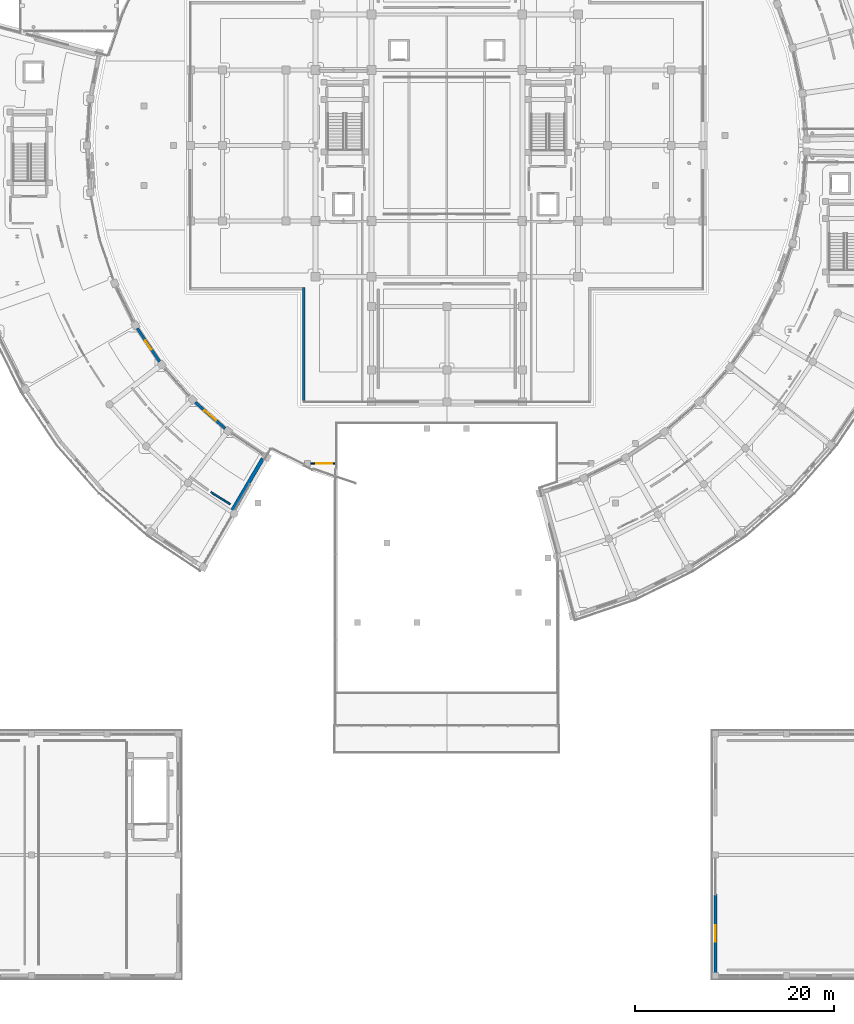
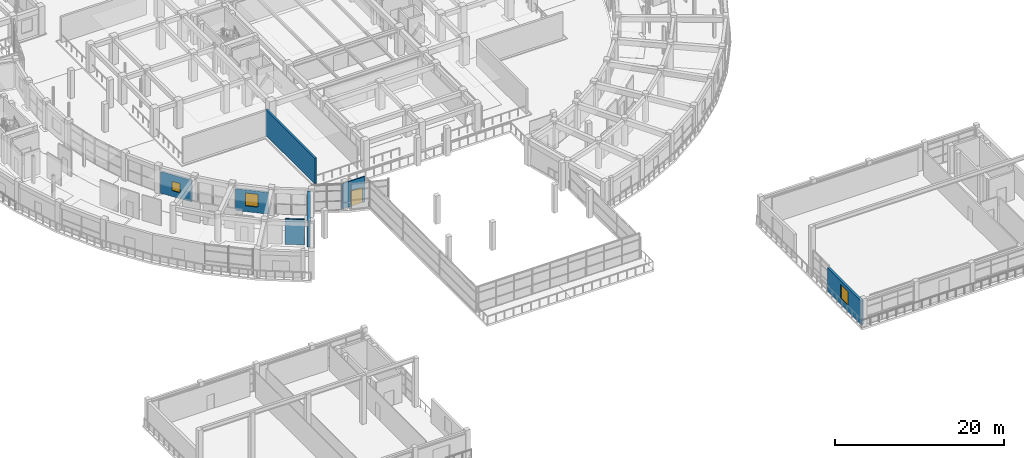
# One storey, part 56 of 87: 7 walls, 3 windows, 1 door, 4 openings.
"""IFC4 building model written with IfcOpenShell, lengths in metres."""

from ifc_helpers import new_model, si_unit, direction, frame, frame_2d, origin, place, context, subcontext, project, spatial, rectangle, extrude, material, layer, layer_set, type_object, element, fill, save


model = new_model("IFC4")

# Units and contexts
model_context = context("Model", 3, precision=1e-05, world=origin(), true_north=direction((0.0, 1.0)))
body_context = subcontext(model_context, "Body", "Model", "MODEL_VIEW")
ifc_project = project(units=[si_unit("LENGTHUNIT", "METRE"), si_unit("AREAUNIT", "SQUARE_METRE"), si_unit("VOLUMEUNIT", "CUBIC_METRE"), si_unit("PLANEANGLEUNIT", "RADIAN"), si_unit("MASSUNIT", "GRAM", prefix="KILO")], contexts=[model_context])

# Site, building, storey
site_placement = place(None, origin())
site = spatial("IfcSite", under=ifc_project, at=site_placement, CompositionType="ELEMENT")
building_placement = place(site_placement, origin())
building = spatial("IfcBuilding", under=site, at=building_placement, Name="Saryqyr Civic Hall", CompositionType="ELEMENT")
storey_placement = place(building_placement, frame((0.0, 0.0, 5.10009765625)))
storey = spatial("IfcBuildingStorey", under=building, at=storey_placement, Name="L01", CompositionType="ELEMENT", Elevation=5.10009765625)

# Wall, opening, window
ifc_material_1 = material(Name="Precast concrete C40/50", Category="concrete")
ifc_layer_1 = layer(ifc_material_1, 0.27001953125, Name="Precast concrete C40/50")
ifc_layer_set_1 = layer_set([ifc_layer_1], Name="Precast concrete C40/50")
wall_type_1 = type_object("IfcWallType", Name="ENV-WAL-EXT-270", PredefinedType="STANDARD", material=ifc_layer_set_1)
wall_1_placement = place(storey_placement, frame((25.84033203125, 65.614990234375, 0.0), z_axis=(0.0, 0.0, 1.0), x_axis=(0.555548569055, -0.831484087293, 0.0)))
wall_1 = element("IfcWall", 1, at=wall_1_placement, inside=storey, type_object=wall_type_1, Name="Exterior wall V4-EWI-L01-06", PredefinedType="STANDARD", context=body_context, shape_type="SweptSolid", body=[
    extrude(rectangle(XDim=4.049560546875, YDim=0.27001953125, at=frame_2d((2.02490234375, 0.0))), origin(), (0.0, 0.0, 1.0), 3.14501953125),
])
opening_1_placement = place(wall_1_placement, frame((1.47509765625, 0.0, 0.85009765625)))
opening_1 = element("IfcOpeningElement", 2, at=opening_1_placement, cuts=wall_1, Name="Opening W-01", PredefinedType="OPENING", context=body_context, shape_type="SweptSolid", body=[
    extrude(rectangle(XDim=1.10009765625, YDim=1.35009765625, at=frame_2d((0.550048828125, 0.675048828125))), frame((0.0, 0.14501953125, 0.0), z_axis=(0.0, -1.0, 0.0), x_axis=(1.0, 0.0, 0.0)), (0.0, 0.0, 1.0), 0.2900390625),
])
ifc_material_2 = material(Name="Anodised aluminium and triple low-E glass", Category="aluminium")
window_type_1 = type_object("IfcWindowType", Name="ENV-WIN-W01", PartitioningType="SINGLE_PANEL", PredefinedType="WINDOW", material=ifc_material_2)
window_1_placement = place(opening_1_placement, origin())
window_1 = element("IfcWindow", 3, at=window_1_placement, inside=storey, type_object=window_type_1, Name="Courtyard window V4-L01-06", OverallHeight=1.35009765625, OverallWidth=1.10009765625, PartitioningType="SINGLE_PANEL", PredefinedType="WINDOW", context=body_context, shape_type="SweptSolid", body=[
    extrude(rectangle(XDim=1.10009765625, YDim=1.35009765625, at=frame_2d((0.550048828125, 0.675048828125))), frame((0.0, 0.030029296875, 0.0), z_axis=(0.0, -1.0, 0.0), x_axis=(1.0, 0.0, 0.0)), (0.0, 0.0, 1.0), 0.06005859375),
])
fill(opening_1, window_1)

wall_2_placement = place(storey_placement, frame((31.687744140625, 58.15283203125, 0.0), z_axis=(0.0, 0.0, 1.0), x_axis=(0.751819440649, -0.659369038296, 0.0)))
wall_2 = element("IfcWall", 4, at=wall_2_placement, inside=storey, type_object=wall_type_1, Name="Exterior wall V4-EWI-L01-08", PredefinedType="STANDARD", context=body_context, shape_type="SweptSolid", body=[
    extrude(rectangle(XDim=3.97705078125, YDim=0.27001953125, at=frame_2d((1.988525390625, 0.0))), origin(), (0.0, 0.0, 1.0), 3.14501953125),
])
opening_2_placement = place(wall_2_placement, frame((1.239013671875, 0.0, 0.85009765625)))
opening_2 = element("IfcOpeningElement", 5, at=opening_2_placement, cuts=wall_2, Name="Opening W-26", PredefinedType="OPENING", context=body_context, shape_type="SweptSolid", body=[
    extrude(rectangle(XDim=1.5, YDim=1.85009765625, at=frame_2d((0.75, 0.925048828125))), frame((0.0, 0.14501953125, 0.0), z_axis=(0.0, -1.0, 0.0), x_axis=(1.0, 0.0, 0.0)), (0.0, 0.0, 1.0), 0.2900390625),
])
window_type_2 = type_object("IfcWindowType", Name="ENV-WIN-W26", PartitioningType="SINGLE_PANEL", PredefinedType="WINDOW", material=ifc_material_2)
window_2_placement = place(opening_2_placement, origin())
window_2 = element("IfcWindow", 6, at=window_2_placement, inside=storey, type_object=window_type_2, Name="Courtyard window V4-L01-08", OverallHeight=1.85009765625, OverallWidth=1.5, PartitioningType="SINGLE_PANEL", PredefinedType="WINDOW", context=body_context, shape_type="SweptSolid", body=[
    extrude(rectangle(XDim=1.5, YDim=1.85009765625, at=frame_2d((0.75, 0.925048828125))), frame((0.0, 0.030029296875, 0.0), z_axis=(0.0, -1.0, 0.0), x_axis=(1.0, 0.0, 0.0)), (0.0, 0.0, 1.0), 0.06005859375),
])
fill(opening_2, window_2)

# Wall
wall_3_placement = place(storey_placement, frame((42.60009765625, 58.080078125, 0.0), z_axis=(0.0, 0.0, 1.0), x_axis=(0.0, 1.0, 0.0)))
element("IfcWall", 7, at=wall_3_placement, inside=storey, type_object=wall_type_1, Name="Exterior wall V1-EW-L01-00", PredefinedType="STANDARD", context=body_context, shape_type="SweptSolid", body=[
    extrude(rectangle(XDim=11.639892578125, YDim=0.27001953125, at=frame_2d((5.81982421875, 0.0))), origin(), (0.0, 0.0, 1.0), 3.699951171875),
])

# Wall, opening, window
ifc_layer_2 = layer(ifc_material_1, 0.31005859375, Name="Precast concrete C40/50")
ifc_layer_set_2 = layer_set([ifc_layer_2], Name="Precast concrete C40/50")
wall_type_2 = type_object("IfcWallType", Name="ENV-WAL-EXT-310", PredefinedType="STANDARD", material=ifc_layer_set_2)
wall_4_placement = place(storey_placement, frame((84.050048828125, 0.68505859375, 0.0), z_axis=(0.0, 0.0, 1.0), x_axis=(0.0, 1.0, 0.0)))
wall_4 = element("IfcWall", 8, at=wall_4_placement, inside=storey, type_object=wall_type_2, Name="Exterior wall V7E-EW-L01-3-0", PredefinedType="STANDARD", context=body_context, shape_type="SweptSolid", body=[
    extrude(rectangle(XDim=7.98486328125, YDim=0.31005859375, at=frame_2d((3.992431640625, 0.0))), origin(), (0.0, 0.0, 1.0), 3.40478515625),
])
opening_3_placement = place(wall_4_placement, frame((3.14208984375, 0.0, 0.85009765625)))
opening_3 = element("IfcOpeningElement", 9, at=opening_3_placement, cuts=wall_4, Name="Opening W-32", PredefinedType="OPENING", context=body_context, shape_type="SweptSolid", body=[
    extrude(rectangle(XDim=1.699951171875, YDim=2.050048828125, at=frame_2d((0.85009765625, 1.02490234375))), frame((0.0, 0.1650390625, 0.0), z_axis=(0.0, -1.0, 0.0), x_axis=(1.0, 0.0, 0.0)), (0.0, 0.0, 1.0), 0.330078125),
])
window_type_3 = type_object("IfcWindowType", Name="ENV-WIN-W32", PartitioningType="SINGLE_PANEL", PredefinedType="WINDOW", material=ifc_material_2)
window_3_placement = place(opening_3_placement, origin())
window_3 = element("IfcWindow", 10, at=window_3_placement, inside=storey, type_object=window_type_3, Name="Gatehouse window E-L01-3-0", OverallHeight=2.050048828125, OverallWidth=1.699951171875, PartitioningType="SINGLE_PANEL", PredefinedType="WINDOW", context=body_context, shape_type="SweptSolid", body=[
    extrude(rectangle(XDim=1.699951171875, YDim=2.050048828125, at=frame_2d((0.85009765625, 1.02490234375))), frame((0.0, 0.030029296875, 0.0), z_axis=(0.0, -1.0, 0.0), x_axis=(1.0, 0.0, 0.0)), (0.0, 0.0, 1.0), 0.06005859375),
])
fill(opening_3, window_3)

# Wall
ifc_material_3 = material(Name="Concrete C40/50", Category="concrete")
ifc_layer_3 = layer(ifc_material_3, 0.3798828125, Name="Concrete C40/50")
ifc_layer_set_3 = layer_set([ifc_layer_3], Name="Concrete C40/50")
wall_type_3 = type_object("IfcWallType", Name="ENV-WAL-PTY-380", PredefinedType="SHEAR", material=ifc_layer_set_3)
wall_5_placement = place(storey_placement, frame((38.47705078125, 52.4912109375, 0.0), z_axis=(0.0, 0.0, 1.0), x_axis=(-0.506800995465, -0.862063078316, 0.0)))
element("IfcWall", 11, at=wall_5_placement, inside=storey, type_object=wall_type_3, Name="Exterior wall V4-JNTW-B-L01", PredefinedType="SHEAR", context=body_context, shape_type="SweptSolid", body=[
    extrude(rectangle(XDim=6.086669921875, YDim=0.3798828125, at=frame_2d((3.04345703125, 0.0))), origin(), (0.0, 0.0, 1.0), 3.75),
])

# Wall, opening, door
ifc_material_4 = material(Name="Metal-stud gypsum board partition", Category="gypsum")
ifc_layer_4 = layer(ifc_material_4, 0.125, Name="Metal-stud gypsum board partition")
ifc_layer_set_4 = layer_set([ifc_layer_4], Name="Metal-stud gypsum board partition")
wall_type_4 = type_object("IfcWallType", Name="INT-WAL-PRT-125", PredefinedType="PARTITIONING", material=ifc_layer_set_4)
wall_6_placement = place(storey_placement, frame((45.739990234375, 52.0, 0.0), z_axis=(0.0, 0.0, 1.0), x_axis=(-1.0, 0.0, 0.0)))
wall_6 = element("IfcWall", 12, at=wall_6_placement, inside=storey, type_object=wall_type_4, Name="Interior partition PRT-SP-V2-L01-WGAL-W1", PredefinedType="PARTITIONING", context=body_context, shape_type="SweptSolid", body=[
    extrude(rectangle(XDim=3.07666015625, YDim=0.125, at=frame_2d((1.538330078125, 0.0))), origin(), (0.0, 0.0, 1.0), 3.679931640625),
])
opening_4_placement = place(wall_6_placement, frame((0.2880859375, 0.0, 0.0)))
opening_4 = element("IfcOpeningElement", 13, at=opening_4_placement, cuts=wall_6, Name="Opening D-14", PredefinedType="OPENING", context=body_context, shape_type="SweptSolid", body=[
    extrude(rectangle(XDim=1.60009765625, YDim=2.219970703125, at=frame_2d((0.800048828125, 1.10986328125))), frame((0.0, 0.072509765625, 0.0), z_axis=(0.0, -1.0, 0.0), x_axis=(1.0, 0.0, 0.0)), (0.0, 0.0, 1.0), 0.14501953125),
])
ifc_material_5 = material(Name="Acoustic solid-core oak veneer", Category="wood")
door_type = type_object("IfcDoorType", Name="INT-DR-D-14", OperationType="NOTDEFINED", PredefinedType="DOOR", material=ifc_material_5)
door_placement = place(opening_4_placement, origin())
door = element("IfcDoor", 14, at=door_placement, inside=storey, type_object=door_type, Name="Interior door Citizens' Mezzanine Advisory Gallery West", OperationType="DOUBLE_DOOR_SINGLE_SWING", OverallHeight=2.219970703125, OverallWidth=1.60009765625, PredefinedType="DOOR", context=body_context, shape_type="SweptSolid", body=[
    extrude(rectangle(XDim=1.60009765625, YDim=2.219970703125, at=frame_2d((0.800048828125, 1.10986328125))), frame((0.0, 0.02490234375, 0.0), z_axis=(0.0, -1.0, 0.0), x_axis=(1.0, 0.0, 0.0)), (0.0, 0.0, 1.0), 0.050048828125),
])
fill(opening_4, door)

# Wall
ifc_material_6 = material(Name="Acoustic double-stud gypsum board", Category="gypsum")
ifc_layer_5 = layer(ifc_material_6, 0.169921875, Name="Acoustic double-stud gypsum board")
ifc_layer_set_5 = layer_set([ifc_layer_5], Name="Acoustic double-stud gypsum board")
wall_type_5 = type_object("IfcWallType", Name="INT-WAL-PRT-170", PredefinedType="PARTITIONING", material=ifc_layer_set_5)
wall_7_placement = place(storey_placement, frame((33.260986328125, 49.117431640625, 0.0), z_axis=(0.0, 0.0, 1.0), x_axis=(0.843952980102, -0.536417157982, 0.0)))
element("IfcWall", 15, at=wall_7_placement, inside=storey, type_object=wall_type_5, Name="Interior partition PRT-SP-V4-L01-R03-W3", PredefinedType="PARTITIONING", context=body_context, shape_type="SweptSolid", body=[
    extrude(rectangle(XDim=2.275146484375, YDim=0.169921875, at=frame_2d((1.1376953125, 0.0))), origin(), (0.0, 0.0, 1.0), 3.679931640625),
])

save(model, "model.ifc")
